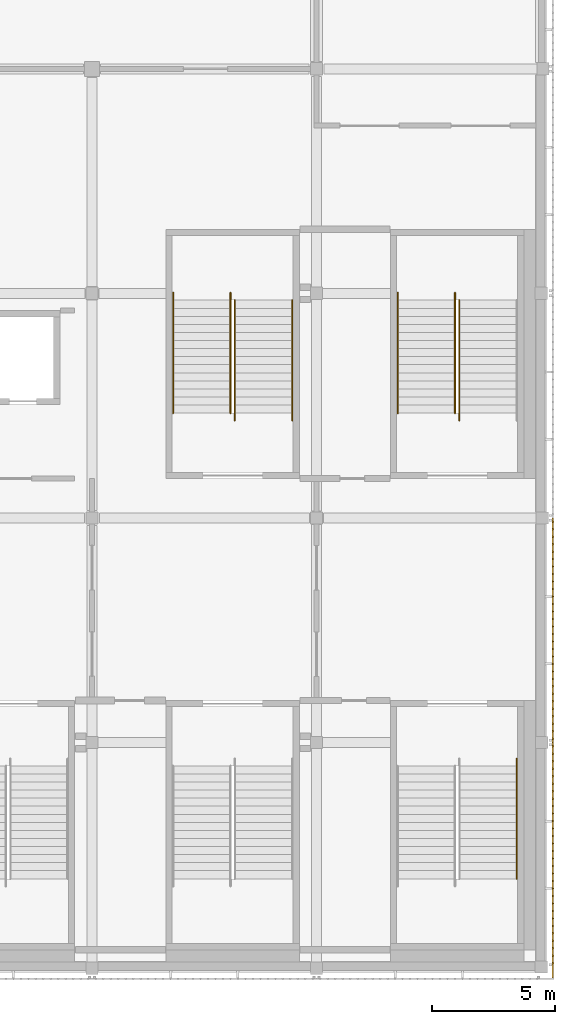
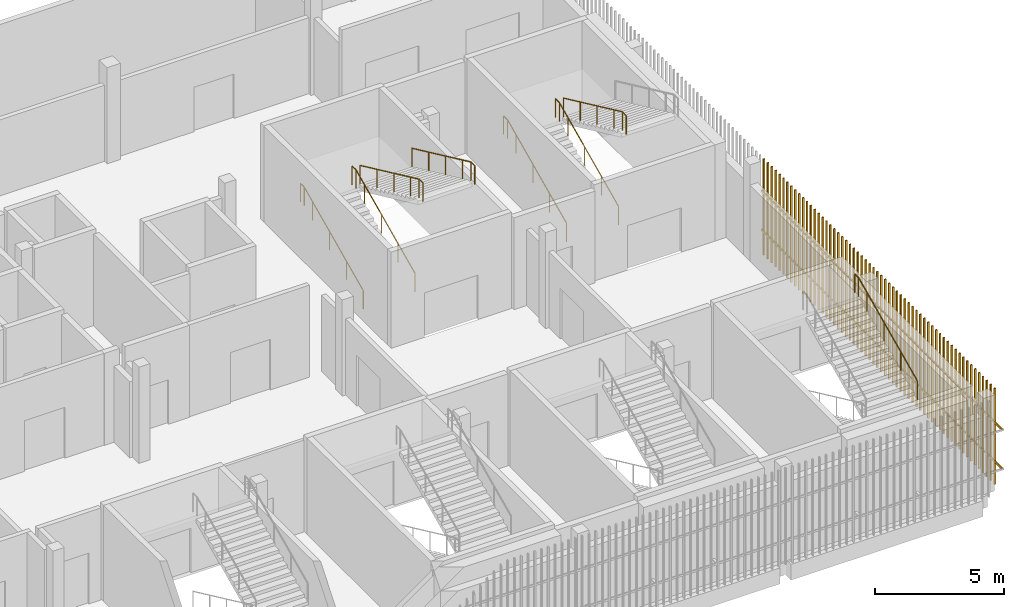
# One storey, part 84 of 91: 8 railings, 2 shading devices.
"""IFC4 building model written with IfcOpenShell, lengths in metres."""

from ifc_helpers import new_model, si_unit, direction, frame, origin, origin_2d, place, context, subcontext, project, spatial, rectangle, circle, extrude, material, type_object, element, save


model = new_model("IFC4")

# Units and contexts
model_context = context("Model", 3, precision=1e-05, world=origin(), true_north=direction((0.0, 1.0)))
body_context = subcontext(model_context, "Body", "Model", "MODEL_VIEW")
ifc_project = project(units=[si_unit("LENGTHUNIT", "METRE"), si_unit("AREAUNIT", "SQUARE_METRE"), si_unit("VOLUMEUNIT", "CUBIC_METRE"), si_unit("PLANEANGLEUNIT", "RADIAN"), si_unit("MASSUNIT", "GRAM", prefix="KILO")], contexts=[model_context])

# Site, building, storey
site_placement = place(None, origin())
site = spatial("IfcSite", under=ifc_project, at=site_placement, CompositionType="ELEMENT")
building_placement = place(site_placement, origin())
building = spatial("IfcBuilding", under=site, at=building_placement, Name="Shirokan Park Arena", CompositionType="ELEMENT")
storey_placement = place(building_placement, frame((0.0, 0.0, 24.570068359375)))
storey = spatial("IfcBuildingStorey", under=building, at=storey_placement, Name="L05", CompositionType="ELEMENT", Elevation=24.570068359375)

# Railings
ifc_material_1 = material(Name="Stainless steel", Category="steel")
railing_type = type_object("IfcRailingType", Name="Stair handrail 900", PredefinedType="HANDRAIL", material=ifc_material_1)
railing_1_placement = place(storey_placement, frame((144.610107421875, 3.576171875, 2.426513671875)))
element("IfcRailing", 1, at=railing_1_placement, inside=storey, type_object=railing_type, Name="Handrail Exit Stair 2.A L05 to L06", PredefinedType="HANDRAIL", context=body_context, shape_type="SweptSolid", body=[
    extrude(circle(Radius=0.02392578125, at=origin_2d()), frame((0.0, 0.0, 0.8759765625), z_axis=(0.0, 0.907029769225, 0.421066500378), x_axis=(-1.0, 0.0, 0.0)), (0.0, 0.0, 1.0), 1.44091796875),
    extrude(circle(Radius=0.02392578125, at=origin_2d()), frame((0.0, 1.306884765625, 1.482421875), z_axis=(0.0, 0.906999720516, 0.421131222998), x_axis=(-1.0, 0.0, 0.0)), (0.0, 0.0, 1.0), 1.440673828125),
    extrude(circle(Radius=0.02392578125, at=origin_2d()), frame((0.0, 2.613525390625, 2.08935546875), z_axis=(0.0, 0.907029769225, 0.421066500378), x_axis=(-1.0, 0.0, 0.0)), (0.0, 0.0, 1.0), 1.44091796875),
    extrude(circle(Radius=0.02392578125, at=origin_2d()), frame((0.0, 3.92041015625, 2.69580078125), z_axis=(0.0, 0.906934982928, 0.421270621741), x_axis=(-1.0, 0.0, 0.0)), (0.0, 0.0, 1.0), 0.720458984375),
    extrude(circle(Radius=0.02392578125, at=origin_2d()), frame((0.0, 4.57373046875, 2.99951171875), z_axis=(0.0, 1.0, 0.0), x_axis=(-1.0, 0.0, 0.0)), (0.0, 0.0, 1.0), 0.300048828125),
    extrude(circle(Radius=0.02099609375, at=origin_2d()), origin(), (0.0, 0.0, 1.0), 0.851806640625),
    extrude(circle(Radius=0.02099609375, at=origin_2d()), frame((0.0, 1.306884765625, 0.606689453125)), (0.0, 0.0, 1.0), 0.851806640625),
    extrude(circle(Radius=0.02099609375, at=origin_2d()), frame((0.0, 2.613525390625, 1.21337890625)), (0.0, 0.0, 1.0), 0.851806640625),
    extrude(circle(Radius=0.02099609375, at=origin_2d()), frame((0.0, 3.92041015625, 1.820068359375)), (0.0, 0.0, 1.0), 0.851806640625),
    extrude(circle(Radius=0.02099609375, at=origin_2d()), frame((0.0, 4.57373046875, 2.12353515625)), (0.0, 0.0, 1.0), 0.851806640625),
    extrude(circle(Radius=0.02099609375, at=origin_2d()), frame((0.0, 4.873779296875, 2.12353515625)), (0.0, 0.0, 1.0), 0.851806640625),
])
railing_2_placement = place(storey_placement, frame((139.7900390625, 22.449951171875, 0.151611328125)))
element("IfcRailing", 2, at=railing_2_placement, inside=storey, type_object=railing_type, Name="Handrail Exit Stair 2.E L05 to L06", PredefinedType="HANDRAIL", context=body_context, shape_type="SweptSolid", body=[
    extrude(circle(Radius=0.02392578125, at=origin_2d()), frame((0.0, 0.0, 0.8759765625), z_axis=(0.0, 0.907029769225, 0.421066500378), x_axis=(-1.0, 0.0, 0.0)), (0.0, 0.0, 1.0), 1.44091796875),
    extrude(circle(Radius=0.02392578125, at=origin_2d()), frame((0.0, 1.306884765625, 1.482421875), z_axis=(0.0, 0.907029769225, 0.421066500378), x_axis=(-1.0, 0.0, 0.0)), (0.0, 0.0, 1.0), 1.44091796875),
    extrude(circle(Radius=0.02392578125, at=origin_2d()), frame((0.0, 2.61376953125, 2.08935546875), z_axis=(0.0, 0.906999720516, 0.421131222998), x_axis=(-1.0, 0.0, 0.0)), (0.0, 0.0, 1.0), 1.440673828125),
    extrude(circle(Radius=0.02392578125, at=origin_2d()), frame((0.0, 3.92041015625, 2.69580078125), z_axis=(0.0, 0.907064445915, 0.420991794405), x_axis=(-1.0, 0.0, 0.0)), (0.0, 0.0, 1.0), 0.72021484375),
    extrude(circle(Radius=0.02392578125, at=origin_2d()), frame((0.0, 4.57373046875, 2.9990234375), z_axis=(0.0, 1.0, 0.0), x_axis=(-1.0, 0.0, 0.0)), (0.0, 0.0, 1.0), 0.300048828125),
    extrude(circle(Radius=0.02099609375, at=origin_2d()), origin(), (0.0, 0.0, 1.0), 0.851806640625),
    extrude(circle(Radius=0.02099609375, at=origin_2d()), frame((0.0, 1.306884765625, 0.606689453125)), (0.0, 0.0, 1.0), 0.851806640625),
    extrude(circle(Radius=0.02099609375, at=origin_2d()), frame((0.0, 2.61376953125, 1.21337890625)), (0.0, 0.0, 1.0), 0.851806640625),
    extrude(circle(Radius=0.02099609375, at=origin_2d()), frame((0.0, 3.92041015625, 1.820068359375)), (0.0, 0.0, 1.0), 0.851806640625),
    extrude(circle(Radius=0.02099609375, at=origin_2d()), frame((0.0, 4.57373046875, 2.123291015625)), (0.0, 0.0, 1.0), 0.851806640625),
    extrude(circle(Radius=0.02099609375, at=origin_2d()), frame((0.0, 4.873779296875, 2.123291015625)), (0.0, 0.0, 1.0), 0.851806640625),
])
railing_3_placement = place(storey_placement, frame((142.110107421875, 22.449951171875, 0.151611328125)))
element("IfcRailing", 3, at=railing_3_placement, inside=storey, type_object=railing_type, Name="Handrail Exit Stair 2.E L05 to L06", PredefinedType="HANDRAIL", context=body_context, shape_type="SweptSolid", body=[
    extrude(circle(Radius=0.02392578125, at=origin_2d()), frame((0.0, 0.0, 0.8759765625), z_axis=(0.0, 0.907029769225, 0.421066500378), x_axis=(-1.0, 0.0, 0.0)), (0.0, 0.0, 1.0), 1.44091796875),
    extrude(circle(Radius=0.02392578125, at=origin_2d()), frame((0.0, 1.306884765625, 1.482421875), z_axis=(0.0, 0.907029769225, 0.421066500378), x_axis=(-1.0, 0.0, 0.0)), (0.0, 0.0, 1.0), 1.44091796875),
    extrude(circle(Radius=0.02392578125, at=origin_2d()), frame((0.0, 2.61376953125, 2.08935546875), z_axis=(0.0, 0.906999720516, 0.421131222998), x_axis=(-1.0, 0.0, 0.0)), (0.0, 0.0, 1.0), 1.440673828125),
    extrude(circle(Radius=0.02392578125, at=origin_2d()), frame((0.0, 3.92041015625, 2.69580078125), z_axis=(0.0, 0.907064445915, 0.420991794405), x_axis=(-1.0, 0.0, 0.0)), (0.0, 0.0, 1.0), 0.72021484375),
    extrude(circle(Radius=0.02392578125, at=origin_2d()), frame((0.0, 4.57373046875, 2.9990234375), z_axis=(0.0, 1.0, 0.0), x_axis=(-1.0, 0.0, 0.0)), (0.0, 0.0, 1.0), 0.300048828125),
    extrude(circle(Radius=0.02099609375, at=origin_2d()), origin(), (0.0, 0.0, 1.0), 0.851806640625),
    extrude(circle(Radius=0.02099609375, at=origin_2d()), frame((0.0, 1.306884765625, 0.606689453125)), (0.0, 0.0, 1.0), 0.851806640625),
    extrude(circle(Radius=0.02099609375, at=origin_2d()), frame((0.0, 2.61376953125, 1.21337890625)), (0.0, 0.0, 1.0), 0.851806640625),
    extrude(circle(Radius=0.02099609375, at=origin_2d()), frame((0.0, 3.92041015625, 1.820068359375)), (0.0, 0.0, 1.0), 0.851806640625),
    extrude(circle(Radius=0.02099609375, at=origin_2d()), frame((0.0, 4.57373046875, 2.123291015625)), (0.0, 0.0, 1.0), 0.851806640625),
    extrude(circle(Radius=0.02099609375, at=origin_2d()), frame((0.0, 4.873779296875, 2.123291015625)), (0.0, 0.0, 1.0), 0.851806640625),
])
railing_4_placement = place(storey_placement, frame((142.2900390625, 27.023681640625, 2.426513671875)))
element("IfcRailing", 4, at=railing_4_placement, inside=storey, type_object=railing_type, Name="Handrail Exit Stair 2.E L05 to L06", PredefinedType="HANDRAIL", context=body_context, shape_type="SweptSolid", body=[
    extrude(circle(Radius=0.02392578125, at=origin_2d()), frame((0.0, 0.0, 0.8759765625), z_axis=(0.0, -0.906999720516, 0.421131222998), x_axis=(1.0, 0.0, 0.0)), (0.0, 0.0, 1.0), 1.440673828125),
    extrude(circle(Radius=0.02392578125, at=origin_2d()), frame((0.0, -1.306640625, 1.482421875), z_axis=(0.0, -0.907029769225, 0.421066500378), x_axis=(1.0, 0.0, 0.0)), (0.0, 0.0, 1.0), 1.44091796875),
    extrude(circle(Radius=0.02392578125, at=origin_2d()), frame((0.0, -2.613525390625, 2.08935546875), z_axis=(0.0, -0.906999720516, 0.421131222998), x_axis=(1.0, 0.0, 0.0)), (0.0, 0.0, 1.0), 1.440673828125),
    extrude(circle(Radius=0.02392578125, at=origin_2d()), frame((0.0, -3.920166015625, 2.69580078125), z_axis=(0.0, -0.906995101989, 0.421141169881), x_axis=(1.0, 0.0, 0.0)), (0.0, 0.0, 1.0), 0.720703125),
    extrude(circle(Radius=0.02392578125, at=origin_2d()), frame((0.0, -4.57373046875, 2.99951171875), z_axis=(0.0, -1.0, 0.0), x_axis=(1.0, 0.0, 0.0)), (0.0, 0.0, 1.0), 0.300048828125),
    extrude(circle(Radius=0.02099609375, at=origin_2d()), origin(), (0.0, 0.0, 1.0), 0.851806640625),
    extrude(circle(Radius=0.02099609375, at=origin_2d()), frame((0.0, -1.306640625, 0.606689453125)), (0.0, 0.0, 1.0), 0.851806640625),
    extrude(circle(Radius=0.02099609375, at=origin_2d()), frame((0.0, -2.613525390625, 1.21337890625)), (0.0, 0.0, 1.0), 0.851806640625),
    extrude(circle(Radius=0.02099609375, at=origin_2d()), frame((0.0, -3.920166015625, 1.820068359375)), (0.0, 0.0, 1.0), 0.851806640625),
    extrude(circle(Radius=0.02099609375, at=origin_2d()), frame((0.0, -4.57373046875, 2.12353515625)), (0.0, 0.0, 1.0), 0.851806640625),
    extrude(circle(Radius=0.02099609375, at=origin_2d()), frame((0.0, -4.873779296875, 2.12353515625)), (0.0, 0.0, 1.0), 0.851806640625),
])
railing_5_placement = place(storey_placement, frame((130.68994140625, 22.449951171875, 0.151611328125)))
element("IfcRailing", 5, at=railing_5_placement, inside=storey, type_object=railing_type, Name="Handrail Exit Stair 2.F L05 to L06", PredefinedType="HANDRAIL", context=body_context, shape_type="SweptSolid", body=[
    extrude(circle(Radius=0.02392578125, at=origin_2d()), frame((0.0, 0.0, 0.8759765625), z_axis=(0.0, 0.907029769225, 0.421066500378), x_axis=(-1.0, 0.0, 0.0)), (0.0, 0.0, 1.0), 1.44091796875),
    extrude(circle(Radius=0.02392578125, at=origin_2d()), frame((0.0, 1.306884765625, 1.482421875), z_axis=(0.0, 0.907029769225, 0.421066500378), x_axis=(-1.0, 0.0, 0.0)), (0.0, 0.0, 1.0), 1.44091796875),
    extrude(circle(Radius=0.02392578125, at=origin_2d()), frame((0.0, 2.61376953125, 2.08935546875), z_axis=(0.0, 0.906999720516, 0.421131222998), x_axis=(-1.0, 0.0, 0.0)), (0.0, 0.0, 1.0), 1.440673828125),
    extrude(circle(Radius=0.02392578125, at=origin_2d()), frame((0.0, 3.92041015625, 2.69580078125), z_axis=(0.0, 0.907064445915, 0.420991794405), x_axis=(-1.0, 0.0, 0.0)), (0.0, 0.0, 1.0), 0.72021484375),
    extrude(circle(Radius=0.02392578125, at=origin_2d()), frame((0.0, 4.57373046875, 2.9990234375), z_axis=(0.0, 1.0, 0.0), x_axis=(-1.0, 0.0, 0.0)), (0.0, 0.0, 1.0), 0.300048828125),
    extrude(circle(Radius=0.02099609375, at=origin_2d()), origin(), (0.0, 0.0, 1.0), 0.851806640625),
    extrude(circle(Radius=0.02099609375, at=origin_2d()), frame((0.0, 1.306884765625, 0.606689453125)), (0.0, 0.0, 1.0), 0.851806640625),
    extrude(circle(Radius=0.02099609375, at=origin_2d()), frame((0.0, 2.61376953125, 1.21337890625)), (0.0, 0.0, 1.0), 0.851806640625),
    extrude(circle(Radius=0.02099609375, at=origin_2d()), frame((0.0, 3.92041015625, 1.820068359375)), (0.0, 0.0, 1.0), 0.851806640625),
    extrude(circle(Radius=0.02099609375, at=origin_2d()), frame((0.0, 4.57373046875, 2.123291015625)), (0.0, 0.0, 1.0), 0.851806640625),
    extrude(circle(Radius=0.02099609375, at=origin_2d()), frame((0.0, 4.873779296875, 2.123291015625)), (0.0, 0.0, 1.0), 0.851806640625),
])
railing_6_placement = place(storey_placement, frame((133.010009765625, 22.449951171875, 0.151611328125)))
element("IfcRailing", 6, at=railing_6_placement, inside=storey, type_object=railing_type, Name="Handrail Exit Stair 2.F L05 to L06", PredefinedType="HANDRAIL", context=body_context, shape_type="SweptSolid", body=[
    extrude(circle(Radius=0.02392578125, at=origin_2d()), frame((0.0, 0.0, 0.8759765625), z_axis=(0.0, 0.907029769225, 0.421066500378), x_axis=(-1.0, 0.0, 0.0)), (0.0, 0.0, 1.0), 1.44091796875),
    extrude(circle(Radius=0.02392578125, at=origin_2d()), frame((0.0, 1.306884765625, 1.482421875), z_axis=(0.0, 0.907029769225, 0.421066500378), x_axis=(-1.0, 0.0, 0.0)), (0.0, 0.0, 1.0), 1.44091796875),
    extrude(circle(Radius=0.02392578125, at=origin_2d()), frame((0.0, 2.61376953125, 2.08935546875), z_axis=(0.0, 0.906999720516, 0.421131222998), x_axis=(-1.0, 0.0, 0.0)), (0.0, 0.0, 1.0), 1.440673828125),
    extrude(circle(Radius=0.02392578125, at=origin_2d()), frame((0.0, 3.92041015625, 2.69580078125), z_axis=(0.0, 0.907064445915, 0.420991794405), x_axis=(-1.0, 0.0, 0.0)), (0.0, 0.0, 1.0), 0.72021484375),
    extrude(circle(Radius=0.02392578125, at=origin_2d()), frame((0.0, 4.57373046875, 2.9990234375), z_axis=(0.0, 1.0, 0.0), x_axis=(-1.0, 0.0, 0.0)), (0.0, 0.0, 1.0), 0.300048828125),
    extrude(circle(Radius=0.02099609375, at=origin_2d()), origin(), (0.0, 0.0, 1.0), 0.851806640625),
    extrude(circle(Radius=0.02099609375, at=origin_2d()), frame((0.0, 1.306884765625, 0.606689453125)), (0.0, 0.0, 1.0), 0.851806640625),
    extrude(circle(Radius=0.02099609375, at=origin_2d()), frame((0.0, 2.61376953125, 1.21337890625)), (0.0, 0.0, 1.0), 0.851806640625),
    extrude(circle(Radius=0.02099609375, at=origin_2d()), frame((0.0, 3.92041015625, 1.820068359375)), (0.0, 0.0, 1.0), 0.851806640625),
    extrude(circle(Radius=0.02099609375, at=origin_2d()), frame((0.0, 4.57373046875, 2.123291015625)), (0.0, 0.0, 1.0), 0.851806640625),
    extrude(circle(Radius=0.02099609375, at=origin_2d()), frame((0.0, 4.873779296875, 2.123291015625)), (0.0, 0.0, 1.0), 0.851806640625),
])
railing_7_placement = place(storey_placement, frame((133.18994140625, 27.023681640625, 2.426513671875)))
element("IfcRailing", 7, at=railing_7_placement, inside=storey, type_object=railing_type, Name="Handrail Exit Stair 2.F L05 to L06", PredefinedType="HANDRAIL", context=body_context, shape_type="SweptSolid", body=[
    extrude(circle(Radius=0.02392578125, at=origin_2d()), frame((0.0, 0.0, 0.8759765625), z_axis=(0.0, -0.906999720516, 0.421131222998), x_axis=(1.0, 0.0, 0.0)), (0.0, 0.0, 1.0), 1.440673828125),
    extrude(circle(Radius=0.02392578125, at=origin_2d()), frame((0.0, -1.306640625, 1.482421875), z_axis=(0.0, -0.907029769225, 0.421066500378), x_axis=(1.0, 0.0, 0.0)), (0.0, 0.0, 1.0), 1.44091796875),
    extrude(circle(Radius=0.02392578125, at=origin_2d()), frame((0.0, -2.613525390625, 2.08935546875), z_axis=(0.0, -0.906999720516, 0.421131222998), x_axis=(1.0, 0.0, 0.0)), (0.0, 0.0, 1.0), 1.440673828125),
    extrude(circle(Radius=0.02392578125, at=origin_2d()), frame((0.0, -3.920166015625, 2.69580078125), z_axis=(0.0, -0.906995101989, 0.421141169881), x_axis=(1.0, 0.0, 0.0)), (0.0, 0.0, 1.0), 0.720703125),
    extrude(circle(Radius=0.02392578125, at=origin_2d()), frame((0.0, -4.57373046875, 2.99951171875), z_axis=(0.0, -1.0, 0.0), x_axis=(1.0, 0.0, 0.0)), (0.0, 0.0, 1.0), 0.300048828125),
    extrude(circle(Radius=0.02099609375, at=origin_2d()), origin(), (0.0, 0.0, 1.0), 0.851806640625),
    extrude(circle(Radius=0.02099609375, at=origin_2d()), frame((0.0, -1.306640625, 0.606689453125)), (0.0, 0.0, 1.0), 0.851806640625),
    extrude(circle(Radius=0.02099609375, at=origin_2d()), frame((0.0, -2.613525390625, 1.21337890625)), (0.0, 0.0, 1.0), 0.851806640625),
    extrude(circle(Radius=0.02099609375, at=origin_2d()), frame((0.0, -3.920166015625, 1.820068359375)), (0.0, 0.0, 1.0), 0.851806640625),
    extrude(circle(Radius=0.02099609375, at=origin_2d()), frame((0.0, -4.57373046875, 2.12353515625)), (0.0, 0.0, 1.0), 0.851806640625),
    extrude(circle(Radius=0.02099609375, at=origin_2d()), frame((0.0, -4.873779296875, 2.12353515625)), (0.0, 0.0, 1.0), 0.851806640625),
])
railing_8_placement = place(storey_placement, frame((135.510009765625, 27.023681640625, 2.426513671875)))
element("IfcRailing", 8, at=railing_8_placement, inside=storey, type_object=railing_type, Name="Handrail Exit Stair 2.F L05 to L06", PredefinedType="HANDRAIL", context=body_context, shape_type="SweptSolid", body=[
    extrude(circle(Radius=0.02392578125, at=origin_2d()), frame((0.0, 0.0, 0.8759765625), z_axis=(0.0, -0.906999720516, 0.421131222998), x_axis=(1.0, 0.0, 0.0)), (0.0, 0.0, 1.0), 1.440673828125),
    extrude(circle(Radius=0.02392578125, at=origin_2d()), frame((0.0, -1.306640625, 1.482421875), z_axis=(0.0, -0.907029769225, 0.421066500378), x_axis=(1.0, 0.0, 0.0)), (0.0, 0.0, 1.0), 1.44091796875),
    extrude(circle(Radius=0.02392578125, at=origin_2d()), frame((0.0, -2.613525390625, 2.08935546875), z_axis=(0.0, -0.906999720516, 0.421131222998), x_axis=(1.0, 0.0, 0.0)), (0.0, 0.0, 1.0), 1.440673828125),
    extrude(circle(Radius=0.02392578125, at=origin_2d()), frame((0.0, -3.920166015625, 2.69580078125), z_axis=(0.0, -0.906995101989, 0.421141169881), x_axis=(1.0, 0.0, 0.0)), (0.0, 0.0, 1.0), 0.720703125),
    extrude(circle(Radius=0.02392578125, at=origin_2d()), frame((0.0, -4.57373046875, 2.99951171875), z_axis=(0.0, -1.0, 0.0), x_axis=(1.0, 0.0, 0.0)), (0.0, 0.0, 1.0), 0.300048828125),
    extrude(circle(Radius=0.02099609375, at=origin_2d()), origin(), (0.0, 0.0, 1.0), 0.851806640625),
    extrude(circle(Radius=0.02099609375, at=origin_2d()), frame((0.0, -1.306640625, 0.606689453125)), (0.0, 0.0, 1.0), 0.851806640625),
    extrude(circle(Radius=0.02099609375, at=origin_2d()), frame((0.0, -2.613525390625, 1.21337890625)), (0.0, 0.0, 1.0), 0.851806640625),
    extrude(circle(Radius=0.02099609375, at=origin_2d()), frame((0.0, -3.920166015625, 1.820068359375)), (0.0, 0.0, 1.0), 0.851806640625),
    extrude(circle(Radius=0.02099609375, at=origin_2d()), frame((0.0, -4.57373046875, 2.12353515625)), (0.0, 0.0, 1.0), 0.851806640625),
    extrude(circle(Radius=0.02099609375, at=origin_2d()), frame((0.0, -4.873779296875, 2.12353515625)), (0.0, 0.0, 1.0), 0.851806640625),
])

# Shading devices
ifc_material_2 = material(Name="Timber louvre veil (cedar)", Category="wood")
shading_device_type = type_object("IfcShadingDeviceType", Name="Timber louvre veil panel", PredefinedType="JALOUSIE", material=ifc_material_2)
shading_device_1_placement = place(storey_placement, origin())
element("IfcShadingDevice", 9, at=shading_device_1_placement, inside=storey, type_object=shading_device_type, Name="Timber louvre veil east bay 1 L05", PredefinedType="JALOUSIE", context=body_context, shape_type="SweptSolid", body=[
    extrude(rectangle(XDim=0.050048828125, YDim=0.080078125, at=origin_2d()), frame((146.0849609375, 0.151611328125, 0.0), z_axis=(0.0, 0.0, 1.0), x_axis=(0.0, 1.0, 0.0)), (0.0, 0.0, 1.0), 4.550048828125),
    extrude(rectangle(XDim=0.050048828125, YDim=0.080078125, at=origin_2d()), frame((146.0849609375, 0.455078125, 0.0), z_axis=(0.0, 0.0, 1.0), x_axis=(0.0, 1.0, 0.0)), (0.0, 0.0, 1.0), 4.550048828125),
    extrude(rectangle(XDim=0.050048828125, YDim=0.080078125, at=origin_2d()), frame((146.0849609375, 0.75830078125, 0.0), z_axis=(0.0, 0.0, 1.0), x_axis=(0.0, 1.0, 0.0)), (0.0, 0.0, 1.0), 4.550048828125),
    extrude(rectangle(XDim=0.050048828125, YDim=0.080078125, at=origin_2d()), frame((146.0849609375, 1.061767578125, 0.0), z_axis=(0.0, 0.0, 1.0), x_axis=(0.0, 1.0, 0.0)), (0.0, 0.0, 1.0), 4.550048828125),
    extrude(rectangle(XDim=0.050048828125, YDim=0.080078125, at=origin_2d()), frame((146.0849609375, 1.364990234375, 0.0), z_axis=(0.0, 0.0, 1.0), x_axis=(0.0, 1.0, 0.0)), (0.0, 0.0, 1.0), 4.550048828125),
    extrude(rectangle(XDim=0.050048828125, YDim=0.080078125, at=origin_2d()), frame((146.0849609375, 1.668212890625, 0.0), z_axis=(0.0, 0.0, 1.0), x_axis=(0.0, 1.0, 0.0)), (0.0, 0.0, 1.0), 4.550048828125),
    extrude(rectangle(XDim=0.050048828125, YDim=0.080078125, at=origin_2d()), frame((146.0849609375, 1.9716796875, 0.0), z_axis=(0.0, 0.0, 1.0), x_axis=(0.0, 1.0, 0.0)), (0.0, 0.0, 1.0), 4.550048828125),
    extrude(rectangle(XDim=0.050048828125, YDim=0.080078125, at=origin_2d()), frame((146.0849609375, 2.27490234375, 0.0), z_axis=(0.0, 0.0, 1.0), x_axis=(0.0, 1.0, 0.0)), (0.0, 0.0, 1.0), 4.550048828125),
    extrude(rectangle(XDim=0.050048828125, YDim=0.080078125, at=origin_2d()), frame((146.0849609375, 2.578369140625, 0.0), z_axis=(0.0, 0.0, 1.0), x_axis=(0.0, 1.0, 0.0)), (0.0, 0.0, 1.0), 4.550048828125),
    extrude(rectangle(XDim=0.050048828125, YDim=0.080078125, at=origin_2d()), frame((146.0849609375, 2.881591796875, 0.0), z_axis=(0.0, 0.0, 1.0), x_axis=(0.0, 1.0, 0.0)), (0.0, 0.0, 1.0), 4.550048828125),
    extrude(rectangle(XDim=0.050048828125, YDim=0.080078125, at=origin_2d()), frame((146.0849609375, 3.18505859375, 0.0), z_axis=(0.0, 0.0, 1.0), x_axis=(0.0, 1.0, 0.0)), (0.0, 0.0, 1.0), 4.550048828125),
    extrude(rectangle(XDim=0.050048828125, YDim=0.080078125, at=origin_2d()), frame((146.0849609375, 3.48828125, 0.0), z_axis=(0.0, 0.0, 1.0), x_axis=(0.0, 1.0, 0.0)), (0.0, 0.0, 1.0), 4.550048828125),
    extrude(rectangle(XDim=0.050048828125, YDim=0.080078125, at=origin_2d()), frame((146.0849609375, 3.791748046875, 0.0), z_axis=(0.0, 0.0, 1.0), x_axis=(0.0, 1.0, 0.0)), (0.0, 0.0, 1.0), 4.550048828125),
    extrude(rectangle(XDim=0.050048828125, YDim=0.080078125, at=origin_2d()), frame((146.0849609375, 4.094970703125, 0.0), z_axis=(0.0, 0.0, 1.0), x_axis=(0.0, 1.0, 0.0)), (0.0, 0.0, 1.0), 4.550048828125),
    extrude(rectangle(XDim=0.050048828125, YDim=0.080078125, at=origin_2d()), frame((146.0849609375, 4.3984375, 0.0), z_axis=(0.0, 0.0, 1.0), x_axis=(0.0, 1.0, 0.0)), (0.0, 0.0, 1.0), 4.550048828125),
    extrude(rectangle(XDim=0.050048828125, YDim=0.080078125, at=origin_2d()), frame((146.0849609375, 4.70166015625, 0.0), z_axis=(0.0, 0.0, 1.0), x_axis=(0.0, 1.0, 0.0)), (0.0, 0.0, 1.0), 4.550048828125),
    extrude(rectangle(XDim=0.050048828125, YDim=0.080078125, at=origin_2d()), frame((146.0849609375, 5.0048828125, 0.0), z_axis=(0.0, 0.0, 1.0), x_axis=(0.0, 1.0, 0.0)), (0.0, 0.0, 1.0), 4.550048828125),
    extrude(rectangle(XDim=0.050048828125, YDim=0.080078125, at=origin_2d()), frame((146.0849609375, 5.308349609375, 0.0), z_axis=(0.0, 0.0, 1.0), x_axis=(0.0, 1.0, 0.0)), (0.0, 0.0, 1.0), 4.550048828125),
    extrude(rectangle(XDim=0.050048828125, YDim=0.080078125, at=origin_2d()), frame((146.0849609375, 5.611572265625, 0.0), z_axis=(0.0, 0.0, 1.0), x_axis=(0.0, 1.0, 0.0)), (0.0, 0.0, 1.0), 4.550048828125),
    extrude(rectangle(XDim=0.050048828125, YDim=0.080078125, at=origin_2d()), frame((146.0849609375, 5.9150390625, 0.0), z_axis=(0.0, 0.0, 1.0), x_axis=(0.0, 1.0, 0.0)), (0.0, 0.0, 1.0), 4.550048828125),
    extrude(rectangle(XDim=0.050048828125, YDim=0.080078125, at=origin_2d()), frame((146.0849609375, 6.21826171875, 0.0), z_axis=(0.0, 0.0, 1.0), x_axis=(0.0, 1.0, 0.0)), (0.0, 0.0, 1.0), 4.550048828125),
    extrude(rectangle(XDim=0.050048828125, YDim=0.080078125, at=origin_2d()), frame((146.0849609375, 6.521728515625, 0.0), z_axis=(0.0, 0.0, 1.0), x_axis=(0.0, 1.0, 0.0)), (0.0, 0.0, 1.0), 4.550048828125),
    extrude(rectangle(XDim=0.050048828125, YDim=0.080078125, at=origin_2d()), frame((146.0849609375, 6.824951171875, 0.0), z_axis=(0.0, 0.0, 1.0), x_axis=(0.0, 1.0, 0.0)), (0.0, 0.0, 1.0), 4.550048828125),
    extrude(rectangle(XDim=0.050048828125, YDim=0.080078125, at=origin_2d()), frame((146.0849609375, 7.12841796875, 0.0), z_axis=(0.0, 0.0, 1.0), x_axis=(0.0, 1.0, 0.0)), (0.0, 0.0, 1.0), 4.550048828125),
    extrude(rectangle(XDim=0.050048828125, YDim=0.080078125, at=origin_2d()), frame((146.0849609375, 7.431640625, 0.0), z_axis=(0.0, 0.0, 1.0), x_axis=(0.0, 1.0, 0.0)), (0.0, 0.0, 1.0), 4.550048828125),
    extrude(rectangle(XDim=0.050048828125, YDim=0.080078125, at=origin_2d()), frame((146.0849609375, 7.735107421875, 0.0), z_axis=(0.0, 0.0, 1.0), x_axis=(0.0, 1.0, 0.0)), (0.0, 0.0, 1.0), 4.550048828125),
    extrude(rectangle(XDim=0.050048828125, YDim=0.080078125, at=origin_2d()), frame((146.0849609375, 8.038330078125, 0.0), z_axis=(0.0, 0.0, 1.0), x_axis=(0.0, 1.0, 0.0)), (0.0, 0.0, 1.0), 4.550048828125),
    extrude(rectangle(XDim=0.050048828125, YDim=0.080078125, at=origin_2d()), frame((146.0849609375, 8.341552734375, 0.0), z_axis=(0.0, 0.0, 1.0), x_axis=(0.0, 1.0, 0.0)), (0.0, 0.0, 1.0), 4.550048828125),
    extrude(rectangle(XDim=0.050048828125, YDim=0.080078125, at=origin_2d()), frame((146.0849609375, 8.64501953125, 0.0), z_axis=(0.0, 0.0, 1.0), x_axis=(0.0, 1.0, 0.0)), (0.0, 0.0, 1.0), 4.550048828125),
    extrude(rectangle(XDim=0.050048828125, YDim=0.080078125, at=origin_2d()), frame((146.0849609375, 8.9482421875, 0.0), z_axis=(0.0, 0.0, 1.0), x_axis=(0.0, 1.0, 0.0)), (0.0, 0.0, 1.0), 4.550048828125),
    extrude(rectangle(XDim=9.544921875, YDim=0.050048828125, at=origin_2d()), frame((146.070068359375, 4.327392578125, 1.059814453125), z_axis=(0.0, 0.0, 1.0), x_axis=(0.0, 1.0, 0.0)), (0.0, 0.0, 1.0), 0.080078125),
    extrude(rectangle(XDim=9.544921875, YDim=0.050048828125, at=origin_2d()), frame((146.070068359375, 4.327392578125, 2.909912109375), z_axis=(0.0, 0.0, 1.0), x_axis=(0.0, 1.0, 0.0)), (0.0, 0.0, 1.0), 0.080078125),
])
shading_device_2_placement = place(storey_placement, origin())
element("IfcShadingDevice", 10, at=shading_device_2_placement, inside=storey, type_object=shading_device_type, Name="Timber louvre veil east bay 2 L05", PredefinedType="JALOUSIE", context=body_context, shape_type="SweptSolid", body=[
    extrude(rectangle(XDim=0.050048828125, YDim=0.080078125, at=origin_2d()), frame((146.0849609375, 9.251708984375, 0.0), z_axis=(0.0, 0.0, 1.0), x_axis=(0.0, 1.0, 0.0)), (0.0, 0.0, 1.0), 4.550048828125),
    extrude(rectangle(XDim=0.050048828125, YDim=0.080078125, at=origin_2d()), frame((146.0849609375, 9.554931640625, 0.0), z_axis=(0.0, 0.0, 1.0), x_axis=(0.0, 1.0, 0.0)), (0.0, 0.0, 1.0), 4.550048828125),
    extrude(rectangle(XDim=0.050048828125, YDim=0.080078125, at=origin_2d()), frame((146.0849609375, 9.8583984375, 0.0), z_axis=(0.0, 0.0, 1.0), x_axis=(0.0, 1.0, 0.0)), (0.0, 0.0, 1.0), 4.550048828125),
    extrude(rectangle(XDim=0.050048828125, YDim=0.080078125, at=origin_2d()), frame((146.0849609375, 10.16162109375, 0.0), z_axis=(0.0, 0.0, 1.0), x_axis=(0.0, 1.0, 0.0)), (0.0, 0.0, 1.0), 4.550048828125),
    extrude(rectangle(XDim=0.050048828125, YDim=0.080078125, at=origin_2d()), frame((146.0849609375, 10.465087890625, 0.0), z_axis=(0.0, 0.0, 1.0), x_axis=(0.0, 1.0, 0.0)), (0.0, 0.0, 1.0), 4.550048828125),
    extrude(rectangle(XDim=0.050048828125, YDim=0.080078125, at=origin_2d()), frame((146.0849609375, 10.768310546875, 0.0), z_axis=(0.0, 0.0, 1.0), x_axis=(0.0, 1.0, 0.0)), (0.0, 0.0, 1.0), 4.550048828125),
    extrude(rectangle(XDim=0.050048828125, YDim=0.080078125, at=origin_2d()), frame((146.0849609375, 11.07177734375, 0.0), z_axis=(0.0, 0.0, 1.0), x_axis=(0.0, 1.0, 0.0)), (0.0, 0.0, 1.0), 4.550048828125),
    extrude(rectangle(XDim=0.050048828125, YDim=0.080078125, at=origin_2d()), frame((146.0849609375, 11.375, 0.0), z_axis=(0.0, 0.0, 1.0), x_axis=(0.0, 1.0, 0.0)), (0.0, 0.0, 1.0), 4.550048828125),
    extrude(rectangle(XDim=0.050048828125, YDim=0.080078125, at=origin_2d()), frame((146.0849609375, 11.67822265625, 0.0), z_axis=(0.0, 0.0, 1.0), x_axis=(0.0, 1.0, 0.0)), (0.0, 0.0, 1.0), 4.550048828125),
    extrude(rectangle(XDim=0.050048828125, YDim=0.080078125, at=origin_2d()), frame((146.0849609375, 11.981689453125, 0.0), z_axis=(0.0, 0.0, 1.0), x_axis=(0.0, 1.0, 0.0)), (0.0, 0.0, 1.0), 4.550048828125),
    extrude(rectangle(XDim=0.050048828125, YDim=0.080078125, at=origin_2d()), frame((146.0849609375, 12.284912109375, 0.0), z_axis=(0.0, 0.0, 1.0), x_axis=(0.0, 1.0, 0.0)), (0.0, 0.0, 1.0), 4.550048828125),
    extrude(rectangle(XDim=0.050048828125, YDim=0.080078125, at=origin_2d()), frame((146.0849609375, 12.58837890625, 0.0), z_axis=(0.0, 0.0, 1.0), x_axis=(0.0, 1.0, 0.0)), (0.0, 0.0, 1.0), 4.550048828125),
    extrude(rectangle(XDim=0.050048828125, YDim=0.080078125, at=origin_2d()), frame((146.0849609375, 12.8916015625, 0.0), z_axis=(0.0, 0.0, 1.0), x_axis=(0.0, 1.0, 0.0)), (0.0, 0.0, 1.0), 4.550048828125),
    extrude(rectangle(XDim=0.050048828125, YDim=0.080078125, at=origin_2d()), frame((146.0849609375, 13.195068359375, 0.0), z_axis=(0.0, 0.0, 1.0), x_axis=(0.0, 1.0, 0.0)), (0.0, 0.0, 1.0), 4.550048828125),
    extrude(rectangle(XDim=0.050048828125, YDim=0.080078125, at=origin_2d()), frame((146.0849609375, 13.498291015625, 0.0), z_axis=(0.0, 0.0, 1.0), x_axis=(0.0, 1.0, 0.0)), (0.0, 0.0, 1.0), 4.550048828125),
    extrude(rectangle(XDim=0.050048828125, YDim=0.080078125, at=origin_2d()), frame((146.0849609375, 13.8017578125, 0.0), z_axis=(0.0, 0.0, 1.0), x_axis=(0.0, 1.0, 0.0)), (0.0, 0.0, 1.0), 4.550048828125),
    extrude(rectangle(XDim=0.050048828125, YDim=0.080078125, at=origin_2d()), frame((146.0849609375, 14.10498046875, 0.0), z_axis=(0.0, 0.0, 1.0), x_axis=(0.0, 1.0, 0.0)), (0.0, 0.0, 1.0), 4.550048828125),
    extrude(rectangle(XDim=0.050048828125, YDim=0.080078125, at=origin_2d()), frame((146.0849609375, 14.408447265625, 0.0), z_axis=(0.0, 0.0, 1.0), x_axis=(0.0, 1.0, 0.0)), (0.0, 0.0, 1.0), 4.550048828125),
    extrude(rectangle(XDim=0.050048828125, YDim=0.080078125, at=origin_2d()), frame((146.0849609375, 14.711669921875, 0.0), z_axis=(0.0, 0.0, 1.0), x_axis=(0.0, 1.0, 0.0)), (0.0, 0.0, 1.0), 4.550048828125),
    extrude(rectangle(XDim=0.050048828125, YDim=0.080078125, at=origin_2d()), frame((146.0849609375, 15.014892578125, 0.0), z_axis=(0.0, 0.0, 1.0), x_axis=(0.0, 1.0, 0.0)), (0.0, 0.0, 1.0), 4.550048828125),
    extrude(rectangle(XDim=0.050048828125, YDim=0.080078125, at=origin_2d()), frame((146.0849609375, 15.318359375, 0.0), z_axis=(0.0, 0.0, 1.0), x_axis=(0.0, 1.0, 0.0)), (0.0, 0.0, 1.0), 4.550048828125),
    extrude(rectangle(XDim=0.050048828125, YDim=0.080078125, at=origin_2d()), frame((146.0849609375, 15.62158203125, 0.0), z_axis=(0.0, 0.0, 1.0), x_axis=(0.0, 1.0, 0.0)), (0.0, 0.0, 1.0), 4.550048828125),
    extrude(rectangle(XDim=0.050048828125, YDim=0.080078125, at=origin_2d()), frame((146.0849609375, 15.925048828125, 0.0), z_axis=(0.0, 0.0, 1.0), x_axis=(0.0, 1.0, 0.0)), (0.0, 0.0, 1.0), 4.550048828125),
    extrude(rectangle(XDim=0.050048828125, YDim=0.080078125, at=origin_2d()), frame((146.0849609375, 16.228271484375, 0.0), z_axis=(0.0, 0.0, 1.0), x_axis=(0.0, 1.0, 0.0)), (0.0, 0.0, 1.0), 4.550048828125),
    extrude(rectangle(XDim=0.050048828125, YDim=0.080078125, at=origin_2d()), frame((146.0849609375, 16.53173828125, 0.0), z_axis=(0.0, 0.0, 1.0), x_axis=(0.0, 1.0, 0.0)), (0.0, 0.0, 1.0), 4.550048828125),
    extrude(rectangle(XDim=0.050048828125, YDim=0.080078125, at=origin_2d()), frame((146.0849609375, 16.8349609375, 0.0), z_axis=(0.0, 0.0, 1.0), x_axis=(0.0, 1.0, 0.0)), (0.0, 0.0, 1.0), 4.550048828125),
    extrude(rectangle(XDim=0.050048828125, YDim=0.080078125, at=origin_2d()), frame((146.0849609375, 17.138427734375, 0.0), z_axis=(0.0, 0.0, 1.0), x_axis=(0.0, 1.0, 0.0)), (0.0, 0.0, 1.0), 4.550048828125),
    extrude(rectangle(XDim=0.050048828125, YDim=0.080078125, at=origin_2d()), frame((146.0849609375, 17.441650390625, 0.0), z_axis=(0.0, 0.0, 1.0), x_axis=(0.0, 1.0, 0.0)), (0.0, 0.0, 1.0), 4.550048828125),
    extrude(rectangle(XDim=0.050048828125, YDim=0.080078125, at=origin_2d()), frame((146.0849609375, 17.7451171875, 0.0), z_axis=(0.0, 0.0, 1.0), x_axis=(0.0, 1.0, 0.0)), (0.0, 0.0, 1.0), 4.550048828125),
    extrude(rectangle(XDim=0.050048828125, YDim=0.080078125, at=origin_2d()), frame((146.0849609375, 18.04833984375, 0.0), z_axis=(0.0, 0.0, 1.0), x_axis=(0.0, 1.0, 0.0)), (0.0, 0.0, 1.0), 4.550048828125),
    extrude(rectangle(XDim=9.10009765625, YDim=0.050048828125, at=origin_2d()), frame((146.070068359375, 13.64990234375, 1.059814453125), z_axis=(0.0, 0.0, 1.0), x_axis=(0.0, 1.0, 0.0)), (0.0, 0.0, 1.0), 0.080078125),
    extrude(rectangle(XDim=9.10009765625, YDim=0.050048828125, at=origin_2d()), frame((146.070068359375, 13.64990234375, 2.909912109375), z_axis=(0.0, 0.0, 1.0), x_axis=(0.0, 1.0, 0.0)), (0.0, 0.0, 1.0), 0.080078125),
])

save(model, "model.ifc")
